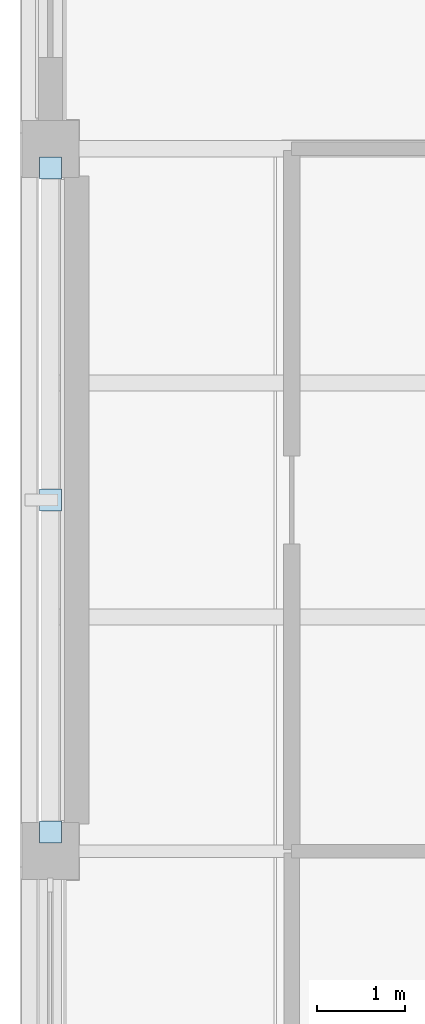
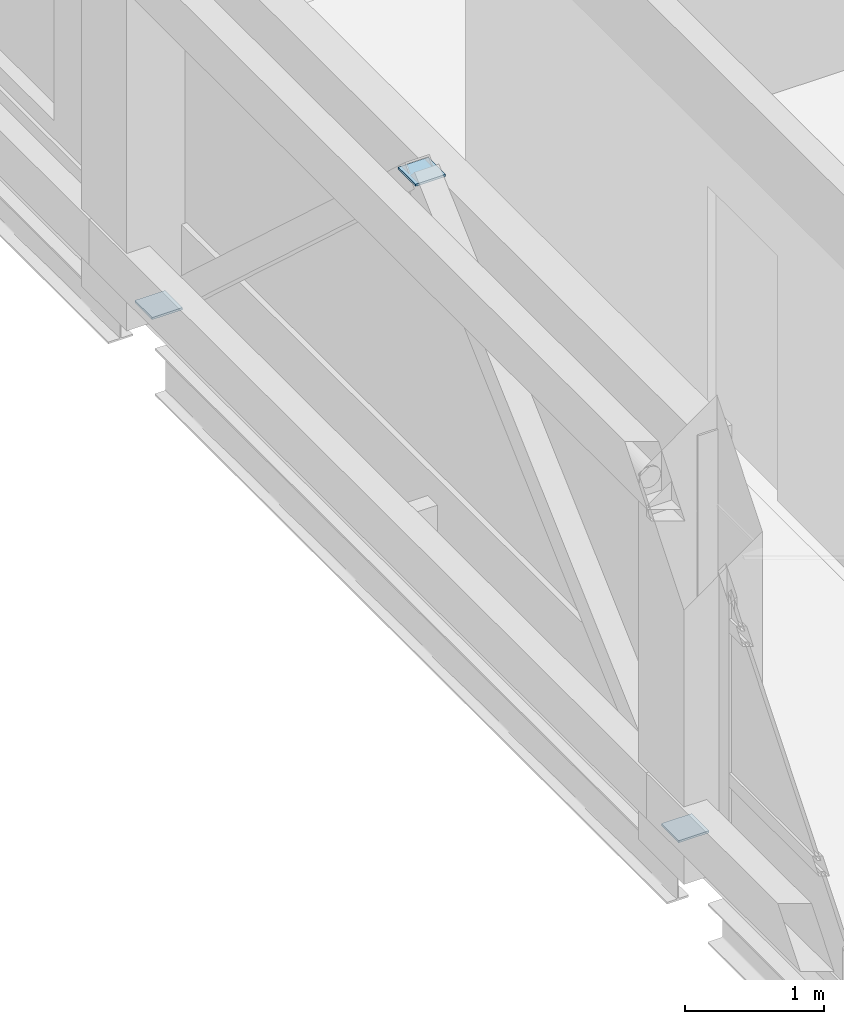
# One storey, part 62 of 92: 3 plates.
"""IFC4 building model written with IfcOpenShell, lengths in metres."""

from ifc_helpers import new_model, si_unit, derived_unit, direction, frame, origin, origin_2d, place, context, subcontext, project, spatial, rectangle, extrude, material, layer, layer_set, type_object, element, save


model = new_model("IFC4")

# Units and contexts
model_context = context("Model", 3, precision=1e-05, world=origin(), true_north=direction((0.0, 1.0)))
body_context = subcontext(model_context, "Body", "Model", "MODEL_VIEW")
ifc_project = project(units=[si_unit("LENGTHUNIT", "METRE"), si_unit("AREAUNIT", "SQUARE_METRE"), si_unit("VOLUMEUNIT", "CUBIC_METRE"), si_unit("PLANEANGLEUNIT", "RADIAN"), si_unit("MASSUNIT", "GRAM", prefix="KILO"), derived_unit("THERMALTRANSMITTANCEUNIT", [(si_unit("MASSUNIT", "GRAM", prefix="KILO"), 1), (si_unit("TIMEUNIT", "SECOND"), -3), (si_unit("THERMODYNAMICTEMPERATUREUNIT", "KELVIN"), -1)])], contexts=[model_context])

# Site, building, storey
site_placement = place(None, origin())
site = spatial("IfcSite", under=ifc_project, at=site_placement, CompositionType="ELEMENT")
building_placement = place(site_placement, origin())
building = spatial("IfcBuilding", under=site, at=building_placement, Name="Veyamyaing Civic Hall", CompositionType="ELEMENT")
storey_placement = place(building_placement, frame((0.0, 0.0, 17.820068359375)))
storey = spatial("IfcBuildingStorey", under=building, at=storey_placement, Name="L04", CompositionType="ELEMENT", Elevation=17.820068359375)

# Plates
ifc_material = material(Name="Steel S355J2", Category="steel")
ifc_layer = layer(ifc_material, 0.01806640625, Name="Steel S355J2")
ifc_layer_set = layer_set([ifc_layer], Name="Steel S355J2")
plate_type = type_object("IfcPlateType", Name="GP-02", PredefinedType="SHEET", material=ifc_layer_set)
for number, where, z_axis, x_axis, name in (
    (1, (0.0, 88.219970703125, 0.041015625), (0.0, 0.0, 1.0), (1.0, 0.0, 0.0), "Brace base gusset plate GP-02 BF-NW L04.L"),
    (2, (0.0, 95.780029296875, 0.041015625), (0.0, 0.0, 1.0), (1.0, 0.0, 0.0), "Brace base gusset plate GP-02 BF-NW L04.R"),
    (3, (0.0, 92.0, 3.5009765625), (0.0, 0.0, 1.0), (1.0, 0.0, 0.0), "Brace apex gusset plate GP-02 BF-NW L04"),
):
    element("IfcPlate", number, at=place(storey_placement, frame(where, z_axis=z_axis, x_axis=x_axis)), inside=storey, type_object=plate_type, Name=name, PredefinedType="SHEET", context=body_context, shape_type="SweptSolid", body=[
        extrude(rectangle(XDim=0.25, YDim=0.25, at=origin_2d()), origin(), (0.0, 0.0, 1.0), 0.01806640625),
    ])

save(model, "model.ifc")
